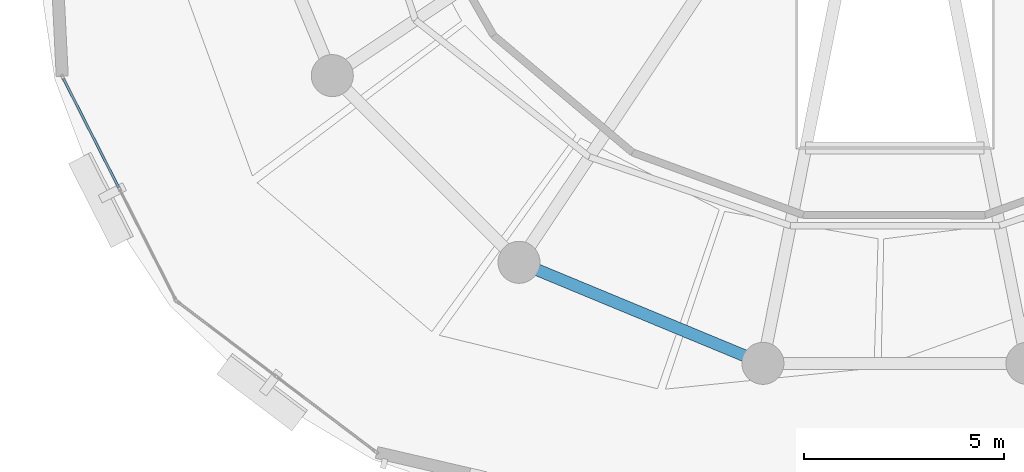
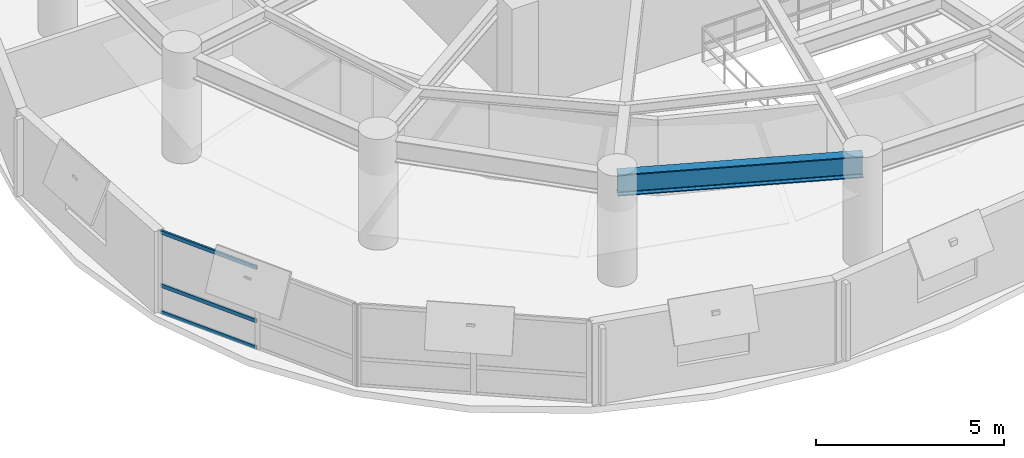
# One storey, part 3 of 12: 3 members, 1 beam, 1 element without a shape of its own.
"""IFC4 building model written with IfcOpenShell, lengths in metres."""

from ifc_helpers import new_model, si_unit, direction, frame, origin, origin_2d, place, context, subcontext, project, spatial, hollow_rectangle, i_section, extrude, material, layer, layer_set, material_profile, profile_set, type_object, element, aggregate, save


model = new_model("IFC4")

# Units and contexts
model_context = context("Model", 3, precision=1e-05, world=origin(), true_north=direction((0.0, 1.0)))
body_context = subcontext(model_context, "Body", "Model", "MODEL_VIEW")
ifc_project = project(units=[si_unit("LENGTHUNIT", "METRE"), si_unit("AREAUNIT", "SQUARE_METRE"), si_unit("VOLUMEUNIT", "CUBIC_METRE"), si_unit("PLANEANGLEUNIT", "RADIAN"), si_unit("MASSUNIT", "GRAM", prefix="KILO"), si_unit("THERMODYNAMICTEMPERATUREUNIT", "KELVIN"), si_unit("POWERUNIT", "WATT")], contexts=[model_context])

# Site, building, storey
site_placement = place(None, origin())
site = spatial("IfcSite", under=ifc_project, at=site_placement, CompositionType="ELEMENT")
building_placement = place(site_placement, origin())
building = spatial("IfcBuilding", under=site, at=building_placement, Name="Ocrelia Relay Tower", CompositionType="ELEMENT")
storey_placement = place(building_placement, frame((0.0, 0.0, 198.800048828125)))
storey = spatial("IfcBuildingStorey", under=building, at=storey_placement, Name="L48", CompositionType="ELEMENT", Elevation=198.800048828125)

# Beam
ifc_material_1 = material(Name="Steel S355", Category="steel")
ifc_material_profile_1 = material_profile(ifc_material_1, i_section(OverallWidth=0.300048828125, OverallDepth=0.699951171875, WebThickness=0.01708984375, FlangeThickness=0.031982421875, FilletRadius=0.027099609375, at=origin_2d()), Name="HEB 700")
ifc_profile_set_1 = profile_set([ifc_material_profile_1], Name="Steel S355")
beam_type = type_object("IfcBeamType", Name="BM-HEB700", PredefinedType="BEAM", material=ifc_profile_set_1)
beam_placement = place(storey_placement, frame((24.61083984375, 11.9482421875, 3.030029296875), z_axis=(0.923877844151, -0.382687508402, 0.0), x_axis=(0.382687508402, 0.923877844151, 0.0)))
element("IfcBeam", 1, at=beam_placement, inside=storey, type_object=beam_type, Name="L48 Perimeter Spandrel Beam S11", PredefinedType="BEAM", context=body_context, shape_type="SweptSolid", body=[
    extrude(i_section(OverallWidth=0.300048828125, OverallDepth=0.699951171875, WebThickness=0.01708984375, FlangeThickness=0.031982421875, FilletRadius=0.027099609375, at=origin_2d()), origin(), (0.0, 0.0, 1.0), 6.593994140625),
])

# Curtain wall, members
ifc_material_2 = material(Name="Aluminium and solar-control low-E glass", Category="aluminium")
ifc_layer = layer(ifc_material_2, 0.179931640625, Name="Aluminium and solar-control low-E glass")
ifc_layer_set = layer_set([ifc_layer], Name="Aluminium and solar-control low-E glass")
curtain_wall_type = type_object("IfcCurtainWallType", Name="CW-SYS-Z3-CLOU", PredefinedType="NOTDEFINED", material=ifc_layer_set)
curtain_wall_placement = place(storey_placement, origin())
curtain_wall = element("IfcCurtainWall", 2, at=curtain_wall_placement, inside=storey, type_object=curtain_wall_type, Name="L48 Elliptical Tower Curtain Wall Bay 09", PredefinedType="NOTDEFINED")
ifc_material_3 = material(Name="Anodised bronze aluminium", Category="aluminium")
ifc_material_profile_2 = material_profile(ifc_material_3, hollow_rectangle(XDim=0.06005859375, YDim=0.1201171875, WallThickness=0.0048828125, at=origin_2d()), Name="CW-TRN-120x60")
ifc_profile_set_2 = profile_set([ifc_material_profile_2], Name="Anodised bronze aluminium")
member_type = type_object("IfcMemberType", Name="CW-SYS-Z3-CLOU-TRN", PredefinedType="USERDEFINED", material=ifc_profile_set_2)
member_1_placement = place(storey_placement, frame((13.2333984375, 16.533935546875, 0.030029296875), z_axis=(0.45272375649, -0.891650828693, 0.0), x_axis=(0.891650828693, 0.45272375649, 0.0)))
member_1 = element("IfcMember", 3, at=member_1_placement, type_object=member_type, Name="CW-Z3 transom 1.1", ObjectType="TRANSOM", PredefinedType="USERDEFINED", context=body_context, shape_type="SweptSolid", body=[
    extrude(hollow_rectangle(XDim=0.06005859375, YDim=0.1201171875, WallThickness=0.0048828125, at=origin_2d()), origin(), (0.0, 0.0, 1.0), 3.043701171875),
])
member_2_placement = place(storey_placement, frame((13.2333984375, 16.533935546875, 0.89990234375), z_axis=(0.45272375649, -0.891650828693, 0.0), x_axis=(0.891650828693, 0.45272375649, 0.0)))
member_2 = element("IfcMember", 4, at=member_2_placement, type_object=member_type, Name="CW-Z3 transom 1.2", ObjectType="TRANSOM", PredefinedType="USERDEFINED", context=body_context, shape_type="SweptSolid", body=[
    extrude(hollow_rectangle(XDim=0.06005859375, YDim=0.1201171875, WallThickness=0.0048828125, at=origin_2d()), origin(), (0.0, 0.0, 1.0), 3.043701171875),
])
member_3_placement = place(storey_placement, frame((13.2333984375, 16.533935546875, 2.6298828125), z_axis=(0.45272375649, -0.891650828693, 0.0), x_axis=(0.891650828693, 0.45272375649, 0.0)))
member_3 = element("IfcMember", 5, at=member_3_placement, type_object=member_type, Name="CW-Z3 transom 1.3", ObjectType="TRANSOM", PredefinedType="USERDEFINED", context=body_context, shape_type="SweptSolid", body=[
    extrude(hollow_rectangle(XDim=0.06005859375, YDim=0.1201171875, WallThickness=0.0048828125, at=origin_2d()), origin(), (0.0, 0.0, 1.0), 3.043701171875),
])
aggregate(curtain_wall, [member_1, member_2, member_3])

save(model, "model.ifc")
